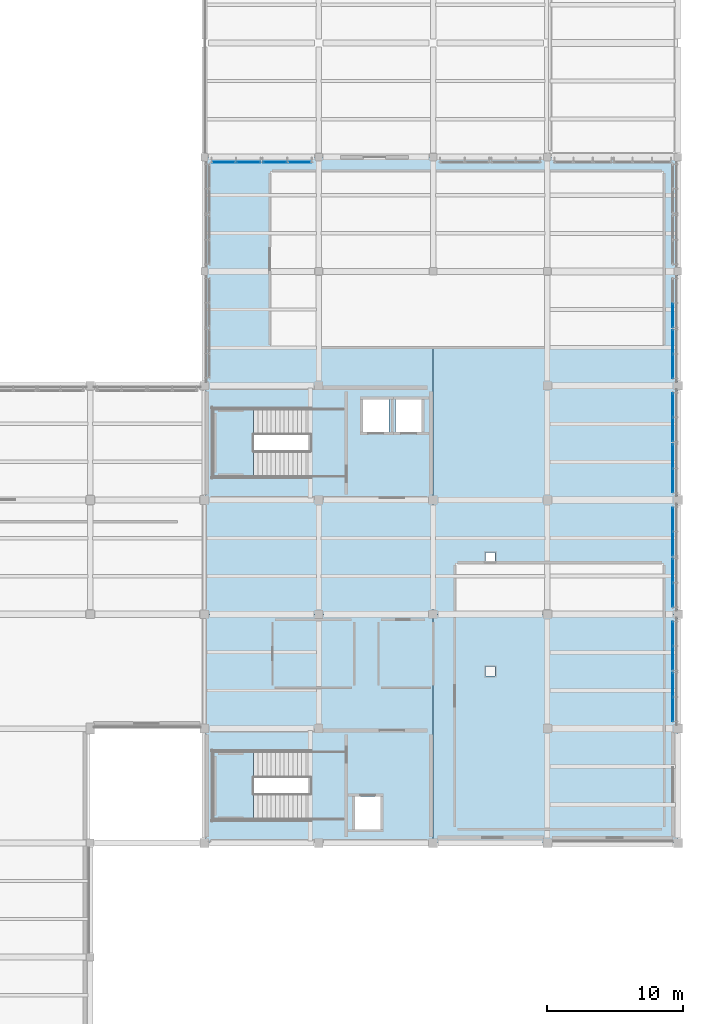
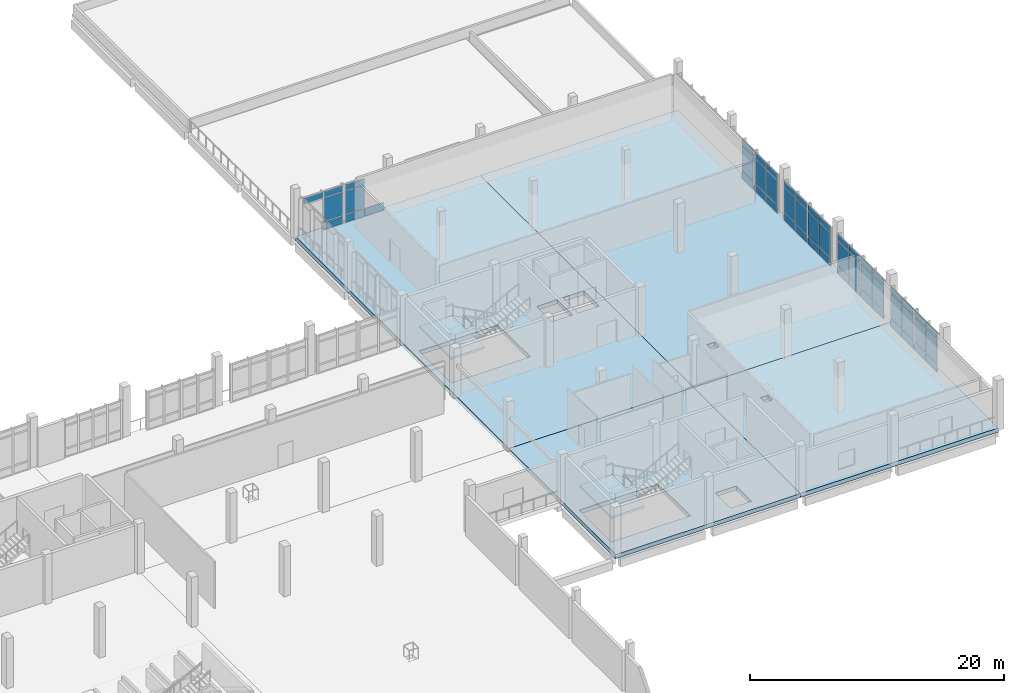
# One storey, part 38 of 63: 53 plates, 6 slabs, 12 elements without a shape of their own.
"""IFC4 building model written with IfcOpenShell, lengths in metres."""

from ifc_helpers import new_model, si_unit, derived_unit, direction, frame, origin, origin_2d, place, context, subcontext, project, spatial, polyline, rectangle, outline, extrude, material, layer, layer_set, type_object, element, aggregate, save


model = new_model("IFC4")

# Units and contexts
model_context = context("Model", 3, precision=1e-05, world=origin(), true_north=direction((0.0, 1.0)))
body_context = subcontext(model_context, "Body", "Model", "MODEL_VIEW")
ifc_project = project(units=[si_unit("LENGTHUNIT", "METRE"), si_unit("AREAUNIT", "SQUARE_METRE"), si_unit("VOLUMEUNIT", "CUBIC_METRE"), si_unit("PLANEANGLEUNIT", "RADIAN"), si_unit("MASSUNIT", "GRAM", prefix="KILO"), derived_unit("THERMALTRANSMITTANCEUNIT", [(si_unit("POWERUNIT", "WATT"), 1), (si_unit("LENGTHUNIT", "METRE"), -2), (si_unit("THERMODYNAMICTEMPERATUREUNIT", "KELVIN"), -1)])], contexts=[model_context])

# Site, building, storey
site_placement = place(None, origin())
site = spatial("IfcSite", under=ifc_project, at=site_placement, CompositionType="ELEMENT")
building_placement = place(site_placement, origin())
building = spatial("IfcBuilding", under=site, at=building_placement, Name="Elbkamm Science Centre", CompositionType="ELEMENT")
storey_placement = place(building_placement, frame((0.0, 0.0, 5.10009765625)))
storey = spatial("IfcBuildingStorey", under=building, at=storey_placement, Name="L01", CompositionType="ELEMENT", Elevation=5.10009765625)

# Curtain wall, plates
ifc_material_1 = material(Name="Powder-coated aluminium and triple low-E glazing", Category="aluminium")
ifc_layer_1 = layer(ifc_material_1, 0.159912109375)
ifc_layer_set_1 = layer_set([ifc_layer_1], Name="Powder-coated aluminium and triple low-E glazing")
curtain_wall_type_1 = type_object("IfcCurtainWallType", Name="CW-UNIT-3680x3780", PredefinedType="USERDEFINED", material=ifc_layer_set_1)
curtain_wall_1_placement = place(storey_placement, origin())
curtain_wall_1 = element("IfcCurtainWall", 1, at=curtain_wall_1_placement, inside=storey, type_object=curtain_wall_type_1, Name="L01 Unitised Curtain Wall 159", ObjectType="UNITISED CURTAIN WALL", PredefinedType="USERDEFINED")
ifc_material_2 = material(Name="Triple solar-control insulated safety glass", Category="glass")
ifc_layer_2 = layer(ifc_material_2, 0.048095703125)
ifc_layer_set_2 = layer_set([ifc_layer_2], Name="Triple solar-control insulated safety glass")
plate_type = type_object("IfcPlateType", Name="CW-PNL-48", PredefinedType="CURTAIN_PANEL", material=ifc_layer_set_2)
plate_1_placement = place(storey_placement, frame((127.422119140625, 75.219970703125, 3.1650390625), z_axis=(0.0, 0.0, 1.0), x_axis=(1.0, 0.0, 0.0)))
plate_1 = element("IfcPlate", 2, at=plate_1_placement, type_object=plate_type, Name="CW-075 panel 1.3", PredefinedType="CURTAIN_PANEL", context=body_context, shape_type="SweptSolid", body=[
    extrude(rectangle(XDim=1.73193359375, YDim=0.048095703125, at=origin_2d()), origin(), (0.0, 0.0, 1.0), 0.544921875),
])
plate_2_placement = place(storey_placement, frame((129.22412109375, 75.219970703125, 0.06982421875), z_axis=(0.0, 0.0, 1.0), x_axis=(1.0, 0.0, 0.0)))
plate_2 = element("IfcPlate", 3, at=plate_2_placement, type_object=plate_type, Name="CW-075 panel 2.1", PredefinedType="CURTAIN_PANEL", context=body_context, shape_type="SweptSolid", body=[
    extrude(rectangle(XDim=1.73193359375, YDim=0.048095703125, at=origin_2d()), origin(), (0.0, 0.0, 1.0), 0.7451171875),
])
plate_3_placement = place(storey_placement, frame((129.22412109375, 75.219970703125, 0.885009765625), z_axis=(0.0, 0.0, 1.0), x_axis=(1.0, 0.0, 0.0)))
plate_3 = element("IfcPlate", 4, at=plate_3_placement, type_object=plate_type, Name="CW-075 panel 2.2", PredefinedType="CURTAIN_PANEL", context=body_context, shape_type="SweptSolid", body=[
    extrude(rectangle(XDim=1.73193359375, YDim=0.048095703125, at=origin_2d()), origin(), (0.0, 0.0, 1.0), 2.2099609375),
])
plate_4_placement = place(storey_placement, frame((129.22412109375, 75.219970703125, 3.1650390625), z_axis=(0.0, 0.0, 1.0), x_axis=(1.0, 0.0, 0.0)))
plate_4 = element("IfcPlate", 5, at=plate_4_placement, type_object=plate_type, Name="CW-075 panel 2.3", PredefinedType="CURTAIN_PANEL", context=body_context, shape_type="SweptSolid", body=[
    extrude(rectangle(XDim=1.73193359375, YDim=0.048095703125, at=origin_2d()), origin(), (0.0, 0.0, 1.0), 0.544921875),
])
aggregate(curtain_wall_1, [plate_1, plate_2, plate_3, plate_4])

curtain_wall_2_placement = place(storey_placement, origin())
curtain_wall_2 = element("IfcCurtainWall", 6, at=curtain_wall_2_placement, inside=storey, type_object=curtain_wall_type_1, Name="L01 Unitised Curtain Wall 160", ObjectType="UNITISED CURTAIN WALL", PredefinedType="USERDEFINED")
plate_5_placement = place(storey_placement, frame((131.176025390625, 75.219970703125, 0.06982421875), z_axis=(0.0, 0.0, 1.0), x_axis=(1.0, 0.0, 0.0)))
plate_5 = element("IfcPlate", 7, at=plate_5_placement, type_object=plate_type, Name="CW-075 panel 1.1", PredefinedType="CURTAIN_PANEL", context=body_context, shape_type="SweptSolid", body=[
    extrude(rectangle(XDim=1.73193359375, YDim=0.048095703125, at=origin_2d()), origin(), (0.0, 0.0, 1.0), 0.7451171875),
])
plate_6_placement = place(storey_placement, frame((131.176025390625, 75.219970703125, 0.885009765625), z_axis=(0.0, 0.0, 1.0), x_axis=(1.0, 0.0, 0.0)))
plate_6 = element("IfcPlate", 8, at=plate_6_placement, type_object=plate_type, Name="CW-075 panel 1.2", PredefinedType="CURTAIN_PANEL", context=body_context, shape_type="SweptSolid", body=[
    extrude(rectangle(XDim=1.73193359375, YDim=0.048095703125, at=origin_2d()), origin(), (0.0, 0.0, 1.0), 2.2099609375),
])
plate_7_placement = place(storey_placement, frame((131.176025390625, 75.219970703125, 3.1650390625), z_axis=(0.0, 0.0, 1.0), x_axis=(1.0, 0.0, 0.0)))
plate_7 = element("IfcPlate", 9, at=plate_7_placement, type_object=plate_type, Name="CW-075 panel 1.3", PredefinedType="CURTAIN_PANEL", context=body_context, shape_type="SweptSolid", body=[
    extrude(rectangle(XDim=1.73193359375, YDim=0.048095703125, at=origin_2d()), origin(), (0.0, 0.0, 1.0), 0.544921875),
])
plate_8_placement = place(storey_placement, frame((132.977783203125, 75.219970703125, 0.06982421875), z_axis=(0.0, 0.0, 1.0), x_axis=(1.0, 0.0, 0.0)))
plate_8 = element("IfcPlate", 10, at=plate_8_placement, type_object=plate_type, Name="CW-075 panel 2.1", PredefinedType="CURTAIN_PANEL", context=body_context, shape_type="SweptSolid", body=[
    extrude(rectangle(XDim=1.73193359375, YDim=0.048095703125, at=origin_2d()), origin(), (0.0, 0.0, 1.0), 0.7451171875),
])
aggregate(curtain_wall_2, [plate_5, plate_6, plate_7, plate_8])

ifc_layer_3 = layer(ifc_material_1, 0.159912109375)
ifc_layer_set_3 = layer_set([ifc_layer_3], Name="Powder-coated aluminium and triple low-E glazing")
curtain_wall_type_2 = type_object("IfcCurtainWallType", Name="CW-UNIT-3680x3900", PredefinedType="USERDEFINED", material=ifc_layer_set_3)
curtain_wall_3_placement = place(storey_placement, origin())
curtain_wall_3 = element("IfcCurtainWall", 11, at=curtain_wall_3_placement, inside=storey, type_object=curtain_wall_type_2, Name="L01 Unitised Curtain Wall 167", ObjectType="UNITISED CURTAIN WALL", PredefinedType="USERDEFINED")
plate_9_placement = place(storey_placement, frame((160.419921875, 63.975830078125, 0.06982421875), z_axis=(0.0, 0.0, 1.0), x_axis=(0.0, -1.0, 0.0)))
plate_9 = element("IfcPlate", 12, at=plate_9_placement, type_object=plate_type, Name="CW-066 panel 2.1", PredefinedType="CURTAIN_PANEL", context=body_context, shape_type="SweptSolid", body=[
    extrude(rectangle(XDim=1.73193359375, YDim=0.048095703125, at=origin_2d()), origin(), (0.0, 0.0, 1.0), 0.7451171875),
])
plate_10_placement = place(storey_placement, frame((160.419921875, 63.975830078125, 0.884765625), z_axis=(0.0, 0.0, 1.0), x_axis=(0.0, -1.0, 0.0)))
plate_10 = element("IfcPlate", 13, at=plate_10_placement, type_object=plate_type, Name="CW-066 panel 2.2", PredefinedType="CURTAIN_PANEL", context=body_context, shape_type="SweptSolid", body=[
    extrude(rectangle(XDim=1.73193359375, YDim=0.048095703125, at=origin_2d()), origin(), (0.0, 0.0, 1.0), 2.330078125),
])
plate_11_placement = place(storey_placement, frame((160.419921875, 63.975830078125, 3.284912109375), z_axis=(0.0, 0.0, 1.0), x_axis=(0.0, -1.0, 0.0)))
plate_11 = element("IfcPlate", 14, at=plate_11_placement, type_object=plate_type, Name="CW-066 panel 2.3", PredefinedType="CURTAIN_PANEL", context=body_context, shape_type="SweptSolid", body=[
    extrude(rectangle(XDim=1.73193359375, YDim=0.048095703125, at=origin_2d()), origin(), (0.0, 0.0, 1.0), 0.544921875),
])
aggregate(curtain_wall_3, [plate_9, plate_10, plate_11])

curtain_wall_4_placement = place(storey_placement, origin())
curtain_wall_4 = element("IfcCurtainWall", 15, at=curtain_wall_4_placement, inside=storey, type_object=curtain_wall_type_2, Name="L01 Unitised Curtain Wall 168", ObjectType="UNITISED CURTAIN WALL", PredefinedType="USERDEFINED")
plate_12_placement = place(storey_placement, frame((160.419921875, 62.024169921875, 0.06982421875), z_axis=(0.0, 0.0, 1.0), x_axis=(0.0, -1.0, 0.0)))
plate_12 = element("IfcPlate", 16, at=plate_12_placement, type_object=plate_type, Name="CW-066 panel 1.1", PredefinedType="CURTAIN_PANEL", context=body_context, shape_type="SweptSolid", body=[
    extrude(rectangle(XDim=1.73193359375, YDim=0.048095703125, at=origin_2d()), origin(), (0.0, 0.0, 1.0), 0.7451171875),
])
plate_13_placement = place(storey_placement, frame((160.419921875, 62.024169921875, 0.884765625), z_axis=(0.0, 0.0, 1.0), x_axis=(0.0, -1.0, 0.0)))
plate_13 = element("IfcPlate", 17, at=plate_13_placement, type_object=plate_type, Name="CW-066 panel 1.2", PredefinedType="CURTAIN_PANEL", context=body_context, shape_type="SweptSolid", body=[
    extrude(rectangle(XDim=1.73193359375, YDim=0.048095703125, at=origin_2d()), origin(), (0.0, 0.0, 1.0), 2.330078125),
])
plate_14_placement = place(storey_placement, frame((160.419921875, 62.024169921875, 3.284912109375), z_axis=(0.0, 0.0, 1.0), x_axis=(0.0, -1.0, 0.0)))
plate_14 = element("IfcPlate", 18, at=plate_14_placement, type_object=plate_type, Name="CW-066 panel 1.3", PredefinedType="CURTAIN_PANEL", context=body_context, shape_type="SweptSolid", body=[
    extrude(rectangle(XDim=1.73193359375, YDim=0.048095703125, at=origin_2d()), origin(), (0.0, 0.0, 1.0), 0.544921875),
])
plate_15_placement = place(storey_placement, frame((160.419921875, 60.22216796875, 0.06982421875), z_axis=(0.0, 0.0, 1.0), x_axis=(0.0, -1.0, 0.0)))
plate_15 = element("IfcPlate", 19, at=plate_15_placement, type_object=plate_type, Name="CW-066 panel 2.1", PredefinedType="CURTAIN_PANEL", context=body_context, shape_type="SweptSolid", body=[
    extrude(rectangle(XDim=1.73193359375, YDim=0.048095703125, at=origin_2d()), origin(), (0.0, 0.0, 1.0), 0.7451171875),
])
plate_16_placement = place(storey_placement, frame((160.419921875, 60.22216796875, 0.884765625), z_axis=(0.0, 0.0, 1.0), x_axis=(0.0, -1.0, 0.0)))
plate_16 = element("IfcPlate", 20, at=plate_16_placement, type_object=plate_type, Name="CW-066 panel 2.2", PredefinedType="CURTAIN_PANEL", context=body_context, shape_type="SweptSolid", body=[
    extrude(rectangle(XDim=1.73193359375, YDim=0.048095703125, at=origin_2d()), origin(), (0.0, 0.0, 1.0), 2.330078125),
])
plate_17_placement = place(storey_placement, frame((160.419921875, 60.22216796875, 3.284912109375), z_axis=(0.0, 0.0, 1.0), x_axis=(0.0, -1.0, 0.0)))
plate_17 = element("IfcPlate", 21, at=plate_17_placement, type_object=plate_type, Name="CW-066 panel 2.3", PredefinedType="CURTAIN_PANEL", context=body_context, shape_type="SweptSolid", body=[
    extrude(rectangle(XDim=1.73193359375, YDim=0.048095703125, at=origin_2d()), origin(), (0.0, 0.0, 1.0), 0.544921875),
])
aggregate(curtain_wall_4, [plate_12, plate_13, plate_14, plate_15, plate_16, plate_17])

curtain_wall_5_placement = place(storey_placement, origin())
curtain_wall_5 = element("IfcCurtainWall", 22, at=curtain_wall_5_placement, inside=storey, type_object=curtain_wall_type_2, Name="L01 Unitised Curtain Wall 169", ObjectType="UNITISED CURTAIN WALL", PredefinedType="USERDEFINED")
plate_18_placement = place(storey_placement, frame((160.419921875, 57.377685546875, 0.06982421875), z_axis=(0.0, 0.0, 1.0), x_axis=(0.0, -1.0, 0.0)))
plate_18 = element("IfcPlate", 23, at=plate_18_placement, type_object=plate_type, Name="CW-066 panel 1.1", PredefinedType="CURTAIN_PANEL", context=body_context, shape_type="SweptSolid", body=[
    extrude(rectangle(XDim=1.73193359375, YDim=0.048095703125, at=origin_2d()), origin(), (0.0, 0.0, 1.0), 0.7451171875),
])
plate_19_placement = place(storey_placement, frame((160.419921875, 57.377685546875, 0.884765625), z_axis=(0.0, 0.0, 1.0), x_axis=(0.0, -1.0, 0.0)))
plate_19 = element("IfcPlate", 24, at=plate_19_placement, type_object=plate_type, Name="CW-066 panel 1.2", PredefinedType="CURTAIN_PANEL", context=body_context, shape_type="SweptSolid", body=[
    extrude(rectangle(XDim=1.73193359375, YDim=0.048095703125, at=origin_2d()), origin(), (0.0, 0.0, 1.0), 2.330078125),
])
plate_20_placement = place(storey_placement, frame((160.419921875, 57.377685546875, 3.284912109375), z_axis=(0.0, 0.0, 1.0), x_axis=(0.0, -1.0, 0.0)))
plate_20 = element("IfcPlate", 25, at=plate_20_placement, type_object=plate_type, Name="CW-066 panel 1.3", PredefinedType="CURTAIN_PANEL", context=body_context, shape_type="SweptSolid", body=[
    extrude(rectangle(XDim=1.73193359375, YDim=0.048095703125, at=origin_2d()), origin(), (0.0, 0.0, 1.0), 0.544921875),
])
plate_21_placement = place(storey_placement, frame((160.419921875, 55.575927734375, 0.06982421875), z_axis=(0.0, 0.0, 1.0), x_axis=(0.0, -1.0, 0.0)))
plate_21 = element("IfcPlate", 26, at=plate_21_placement, type_object=plate_type, Name="CW-066 panel 2.1", PredefinedType="CURTAIN_PANEL", context=body_context, shape_type="SweptSolid", body=[
    extrude(rectangle(XDim=1.73193359375, YDim=0.048095703125, at=origin_2d()), origin(), (0.0, 0.0, 1.0), 0.7451171875),
])
plate_22_placement = place(storey_placement, frame((160.419921875, 55.575927734375, 0.884765625), z_axis=(0.0, 0.0, 1.0), x_axis=(0.0, -1.0, 0.0)))
plate_22 = element("IfcPlate", 27, at=plate_22_placement, type_object=plate_type, Name="CW-066 panel 2.2", PredefinedType="CURTAIN_PANEL", context=body_context, shape_type="SweptSolid", body=[
    extrude(rectangle(XDim=1.73193359375, YDim=0.048095703125, at=origin_2d()), origin(), (0.0, 0.0, 1.0), 2.330078125),
])
plate_23_placement = place(storey_placement, frame((160.419921875, 55.575927734375, 3.284912109375), z_axis=(0.0, 0.0, 1.0), x_axis=(0.0, -1.0, 0.0)))
plate_23 = element("IfcPlate", 28, at=plate_23_placement, type_object=plate_type, Name="CW-066 panel 2.3", PredefinedType="CURTAIN_PANEL", context=body_context, shape_type="SweptSolid", body=[
    extrude(rectangle(XDim=1.73193359375, YDim=0.048095703125, at=origin_2d()), origin(), (0.0, 0.0, 1.0), 0.544921875),
])
aggregate(curtain_wall_5, [plate_18, plate_19, plate_20, plate_21, plate_22, plate_23])

curtain_wall_6_placement = place(storey_placement, origin())
curtain_wall_6 = element("IfcCurtainWall", 29, at=curtain_wall_6_placement, inside=storey, type_object=curtain_wall_type_2, Name="L01 Unitised Curtain Wall 170", ObjectType="UNITISED CURTAIN WALL", PredefinedType="USERDEFINED")
plate_24_placement = place(storey_placement, frame((160.419921875, 53.6240234375, 0.06982421875), z_axis=(0.0, 0.0, 1.0), x_axis=(0.0, -1.0, 0.0)))
plate_24 = element("IfcPlate", 30, at=plate_24_placement, type_object=plate_type, Name="CW-066 panel 1.1", PredefinedType="CURTAIN_PANEL", context=body_context, shape_type="SweptSolid", body=[
    extrude(rectangle(XDim=1.73193359375, YDim=0.048095703125, at=origin_2d()), origin(), (0.0, 0.0, 1.0), 0.7451171875),
])
plate_25_placement = place(storey_placement, frame((160.419921875, 53.6240234375, 0.884765625), z_axis=(0.0, 0.0, 1.0), x_axis=(0.0, -1.0, 0.0)))
plate_25 = element("IfcPlate", 31, at=plate_25_placement, type_object=plate_type, Name="CW-066 panel 1.2", PredefinedType="CURTAIN_PANEL", context=body_context, shape_type="SweptSolid", body=[
    extrude(rectangle(XDim=1.73193359375, YDim=0.048095703125, at=origin_2d()), origin(), (0.0, 0.0, 1.0), 2.330078125),
])
plate_26_placement = place(storey_placement, frame((160.419921875, 53.6240234375, 3.284912109375), z_axis=(0.0, 0.0, 1.0), x_axis=(0.0, -1.0, 0.0)))
plate_26 = element("IfcPlate", 32, at=plate_26_placement, type_object=plate_type, Name="CW-066 panel 1.3", PredefinedType="CURTAIN_PANEL", context=body_context, shape_type="SweptSolid", body=[
    extrude(rectangle(XDim=1.73193359375, YDim=0.048095703125, at=origin_2d()), origin(), (0.0, 0.0, 1.0), 0.544921875),
])
plate_27_placement = place(storey_placement, frame((160.419921875, 51.822265625, 0.06982421875), z_axis=(0.0, 0.0, 1.0), x_axis=(0.0, -1.0, 0.0)))
plate_27 = element("IfcPlate", 33, at=plate_27_placement, type_object=plate_type, Name="CW-066 panel 2.1", PredefinedType="CURTAIN_PANEL", context=body_context, shape_type="SweptSolid", body=[
    extrude(rectangle(XDim=1.73193359375, YDim=0.048095703125, at=origin_2d()), origin(), (0.0, 0.0, 1.0), 0.7451171875),
])
plate_28_placement = place(storey_placement, frame((160.419921875, 51.822265625, 0.884765625), z_axis=(0.0, 0.0, 1.0), x_axis=(0.0, -1.0, 0.0)))
plate_28 = element("IfcPlate", 34, at=plate_28_placement, type_object=plate_type, Name="CW-066 panel 2.2", PredefinedType="CURTAIN_PANEL", context=body_context, shape_type="SweptSolid", body=[
    extrude(rectangle(XDim=1.73193359375, YDim=0.048095703125, at=origin_2d()), origin(), (0.0, 0.0, 1.0), 2.330078125),
])
plate_29_placement = place(storey_placement, frame((160.419921875, 51.822265625, 3.284912109375), z_axis=(0.0, 0.0, 1.0), x_axis=(0.0, -1.0, 0.0)))
plate_29 = element("IfcPlate", 35, at=plate_29_placement, type_object=plate_type, Name="CW-066 panel 2.3", PredefinedType="CURTAIN_PANEL", context=body_context, shape_type="SweptSolid", body=[
    extrude(rectangle(XDim=1.73193359375, YDim=0.048095703125, at=origin_2d()), origin(), (0.0, 0.0, 1.0), 0.544921875),
])
aggregate(curtain_wall_6, [plate_24, plate_25, plate_26, plate_27, plate_28, plate_29])

curtain_wall_7_placement = place(storey_placement, origin())
curtain_wall_7 = element("IfcCurtainWall", 36, at=curtain_wall_7_placement, inside=storey, type_object=curtain_wall_type_2, Name="L01 Unitised Curtain Wall 171", ObjectType="UNITISED CURTAIN WALL", PredefinedType="USERDEFINED")
plate_30_placement = place(storey_placement, frame((160.419921875, 48.977783203125, 0.06982421875), z_axis=(0.0, 0.0, 1.0), x_axis=(0.0, -1.0, 0.0)))
plate_30 = element("IfcPlate", 37, at=plate_30_placement, type_object=plate_type, Name="CW-066 panel 1.1", PredefinedType="CURTAIN_PANEL", context=body_context, shape_type="SweptSolid", body=[
    extrude(rectangle(XDim=1.73193359375, YDim=0.048095703125, at=origin_2d()), origin(), (0.0, 0.0, 1.0), 0.7451171875),
])
plate_31_placement = place(storey_placement, frame((160.419921875, 48.977783203125, 0.884765625), z_axis=(0.0, 0.0, 1.0), x_axis=(0.0, -1.0, 0.0)))
plate_31 = element("IfcPlate", 38, at=plate_31_placement, type_object=plate_type, Name="CW-066 panel 1.2", PredefinedType="CURTAIN_PANEL", context=body_context, shape_type="SweptSolid", body=[
    extrude(rectangle(XDim=1.73193359375, YDim=0.048095703125, at=origin_2d()), origin(), (0.0, 0.0, 1.0), 2.330078125),
])
plate_32_placement = place(storey_placement, frame((160.419921875, 48.977783203125, 3.284912109375), z_axis=(0.0, 0.0, 1.0), x_axis=(0.0, -1.0, 0.0)))
plate_32 = element("IfcPlate", 39, at=plate_32_placement, type_object=plate_type, Name="CW-066 panel 1.3", PredefinedType="CURTAIN_PANEL", context=body_context, shape_type="SweptSolid", body=[
    extrude(rectangle(XDim=1.73193359375, YDim=0.048095703125, at=origin_2d()), origin(), (0.0, 0.0, 1.0), 0.544921875),
])
plate_33_placement = place(storey_placement, frame((160.419921875, 47.176025390625, 0.06982421875), z_axis=(0.0, 0.0, 1.0), x_axis=(0.0, -1.0, 0.0)))
plate_33 = element("IfcPlate", 40, at=plate_33_placement, type_object=plate_type, Name="CW-066 panel 2.1", PredefinedType="CURTAIN_PANEL", context=body_context, shape_type="SweptSolid", body=[
    extrude(rectangle(XDim=1.73193359375, YDim=0.048095703125, at=origin_2d()), origin(), (0.0, 0.0, 1.0), 0.7451171875),
])
plate_34_placement = place(storey_placement, frame((160.419921875, 47.176025390625, 0.884765625), z_axis=(0.0, 0.0, 1.0), x_axis=(0.0, -1.0, 0.0)))
plate_34 = element("IfcPlate", 41, at=plate_34_placement, type_object=plate_type, Name="CW-066 panel 2.2", PredefinedType="CURTAIN_PANEL", context=body_context, shape_type="SweptSolid", body=[
    extrude(rectangle(XDim=1.73193359375, YDim=0.048095703125, at=origin_2d()), origin(), (0.0, 0.0, 1.0), 2.330078125),
])
plate_35_placement = place(storey_placement, frame((160.419921875, 47.176025390625, 3.284912109375), z_axis=(0.0, 0.0, 1.0), x_axis=(0.0, -1.0, 0.0)))
plate_35 = element("IfcPlate", 42, at=plate_35_placement, type_object=plate_type, Name="CW-066 panel 2.3", PredefinedType="CURTAIN_PANEL", context=body_context, shape_type="SweptSolid", body=[
    extrude(rectangle(XDim=1.73193359375, YDim=0.048095703125, at=origin_2d()), origin(), (0.0, 0.0, 1.0), 0.544921875),
])
aggregate(curtain_wall_7, [plate_30, plate_31, plate_32, plate_33, plate_34, plate_35])

curtain_wall_8_placement = place(storey_placement, origin())
curtain_wall_8 = element("IfcCurtainWall", 43, at=curtain_wall_8_placement, inside=storey, type_object=curtain_wall_type_2, Name="L01 Unitised Curtain Wall 172", ObjectType="UNITISED CURTAIN WALL", PredefinedType="USERDEFINED")
plate_36_placement = place(storey_placement, frame((160.419921875, 45.22412109375, 0.06982421875), z_axis=(0.0, 0.0, 1.0), x_axis=(0.0, -1.0, 0.0)))
plate_36 = element("IfcPlate", 44, at=plate_36_placement, type_object=plate_type, Name="CW-066 panel 1.1", PredefinedType="CURTAIN_PANEL", context=body_context, shape_type="SweptSolid", body=[
    extrude(rectangle(XDim=1.73193359375, YDim=0.048095703125, at=origin_2d()), origin(), (0.0, 0.0, 1.0), 0.7451171875),
])
plate_37_placement = place(storey_placement, frame((160.419921875, 45.22412109375, 0.884765625), z_axis=(0.0, 0.0, 1.0), x_axis=(0.0, -1.0, 0.0)))
plate_37 = element("IfcPlate", 45, at=plate_37_placement, type_object=plate_type, Name="CW-066 panel 1.2", PredefinedType="CURTAIN_PANEL", context=body_context, shape_type="SweptSolid", body=[
    extrude(rectangle(XDim=1.73193359375, YDim=0.048095703125, at=origin_2d()), origin(), (0.0, 0.0, 1.0), 2.330078125),
])
plate_38_placement = place(storey_placement, frame((160.419921875, 45.22412109375, 3.284912109375), z_axis=(0.0, 0.0, 1.0), x_axis=(0.0, -1.0, 0.0)))
plate_38 = element("IfcPlate", 46, at=plate_38_placement, type_object=plate_type, Name="CW-066 panel 1.3", PredefinedType="CURTAIN_PANEL", context=body_context, shape_type="SweptSolid", body=[
    extrude(rectangle(XDim=1.73193359375, YDim=0.048095703125, at=origin_2d()), origin(), (0.0, 0.0, 1.0), 0.544921875),
])
plate_39_placement = place(storey_placement, frame((160.419921875, 43.422119140625, 0.06982421875), z_axis=(0.0, 0.0, 1.0), x_axis=(0.0, -1.0, 0.0)))
plate_39 = element("IfcPlate", 47, at=plate_39_placement, type_object=plate_type, Name="CW-066 panel 2.1", PredefinedType="CURTAIN_PANEL", context=body_context, shape_type="SweptSolid", body=[
    extrude(rectangle(XDim=1.73193359375, YDim=0.048095703125, at=origin_2d()), origin(), (0.0, 0.0, 1.0), 0.7451171875),
])
plate_40_placement = place(storey_placement, frame((160.419921875, 43.422119140625, 0.884765625), z_axis=(0.0, 0.0, 1.0), x_axis=(0.0, -1.0, 0.0)))
plate_40 = element("IfcPlate", 48, at=plate_40_placement, type_object=plate_type, Name="CW-066 panel 2.2", PredefinedType="CURTAIN_PANEL", context=body_context, shape_type="SweptSolid", body=[
    extrude(rectangle(XDim=1.73193359375, YDim=0.048095703125, at=origin_2d()), origin(), (0.0, 0.0, 1.0), 2.330078125),
])
plate_41_placement = place(storey_placement, frame((160.419921875, 43.422119140625, 3.284912109375), z_axis=(0.0, 0.0, 1.0), x_axis=(0.0, -1.0, 0.0)))
plate_41 = element("IfcPlate", 49, at=plate_41_placement, type_object=plate_type, Name="CW-066 panel 2.3", PredefinedType="CURTAIN_PANEL", context=body_context, shape_type="SweptSolid", body=[
    extrude(rectangle(XDim=1.73193359375, YDim=0.048095703125, at=origin_2d()), origin(), (0.0, 0.0, 1.0), 0.544921875),
])
aggregate(curtain_wall_8, [plate_36, plate_37, plate_38, plate_39, plate_40, plate_41])

curtain_wall_9_placement = place(storey_placement, origin())
curtain_wall_9 = element("IfcCurtainWall", 50, at=curtain_wall_9_placement, inside=storey, type_object=curtain_wall_type_2, Name="L01 Unitised Curtain Wall 173", ObjectType="UNITISED CURTAIN WALL", PredefinedType="USERDEFINED")
plate_42_placement = place(storey_placement, frame((160.419921875, 40.577880859375, 0.06982421875), z_axis=(0.0, 0.0, 1.0), x_axis=(0.0, -1.0, 0.0)))
plate_42 = element("IfcPlate", 51, at=plate_42_placement, type_object=plate_type, Name="CW-066 panel 1.1", PredefinedType="CURTAIN_PANEL", context=body_context, shape_type="SweptSolid", body=[
    extrude(rectangle(XDim=1.73193359375, YDim=0.048095703125, at=origin_2d()), origin(), (0.0, 0.0, 1.0), 0.7451171875),
])
plate_43_placement = place(storey_placement, frame((160.419921875, 40.577880859375, 0.884765625), z_axis=(0.0, 0.0, 1.0), x_axis=(0.0, -1.0, 0.0)))
plate_43 = element("IfcPlate", 52, at=plate_43_placement, type_object=plate_type, Name="CW-066 panel 1.2", PredefinedType="CURTAIN_PANEL", context=body_context, shape_type="SweptSolid", body=[
    extrude(rectangle(XDim=1.73193359375, YDim=0.048095703125, at=origin_2d()), origin(), (0.0, 0.0, 1.0), 2.330078125),
])
plate_44_placement = place(storey_placement, frame((160.419921875, 40.577880859375, 3.284912109375), z_axis=(0.0, 0.0, 1.0), x_axis=(0.0, -1.0, 0.0)))
plate_44 = element("IfcPlate", 53, at=plate_44_placement, type_object=plate_type, Name="CW-066 panel 1.3", PredefinedType="CURTAIN_PANEL", context=body_context, shape_type="SweptSolid", body=[
    extrude(rectangle(XDim=1.73193359375, YDim=0.048095703125, at=origin_2d()), origin(), (0.0, 0.0, 1.0), 0.544921875),
])
plate_45_placement = place(storey_placement, frame((160.419921875, 38.77587890625, 0.06982421875), z_axis=(0.0, 0.0, 1.0), x_axis=(0.0, -1.0, 0.0)))
plate_45 = element("IfcPlate", 54, at=plate_45_placement, type_object=plate_type, Name="CW-066 panel 2.1", PredefinedType="CURTAIN_PANEL", context=body_context, shape_type="SweptSolid", body=[
    extrude(rectangle(XDim=1.73193359375, YDim=0.048095703125, at=origin_2d()), origin(), (0.0, 0.0, 1.0), 0.7451171875),
])
plate_46_placement = place(storey_placement, frame((160.419921875, 38.77587890625, 0.884765625), z_axis=(0.0, 0.0, 1.0), x_axis=(0.0, -1.0, 0.0)))
plate_46 = element("IfcPlate", 55, at=plate_46_placement, type_object=plate_type, Name="CW-066 panel 2.2", PredefinedType="CURTAIN_PANEL", context=body_context, shape_type="SweptSolid", body=[
    extrude(rectangle(XDim=1.73193359375, YDim=0.048095703125, at=origin_2d()), origin(), (0.0, 0.0, 1.0), 2.330078125),
])
plate_47_placement = place(storey_placement, frame((160.419921875, 38.77587890625, 3.284912109375), z_axis=(0.0, 0.0, 1.0), x_axis=(0.0, -1.0, 0.0)))
plate_47 = element("IfcPlate", 56, at=plate_47_placement, type_object=plate_type, Name="CW-066 panel 2.3", PredefinedType="CURTAIN_PANEL", context=body_context, shape_type="SweptSolid", body=[
    extrude(rectangle(XDim=1.73193359375, YDim=0.048095703125, at=origin_2d()), origin(), (0.0, 0.0, 1.0), 0.544921875),
])
aggregate(curtain_wall_9, [plate_42, plate_43, plate_44, plate_45, plate_46, plate_47])

curtain_wall_10_placement = place(storey_placement, origin())
curtain_wall_10 = element("IfcCurtainWall", 57, at=curtain_wall_10_placement, inside=storey, type_object=curtain_wall_type_2, Name="L01 Unitised Curtain Wall 174", ObjectType="UNITISED CURTAIN WALL", PredefinedType="USERDEFINED")
plate_48_placement = place(storey_placement, frame((160.419921875, 36.823974609375, 0.06982421875), z_axis=(0.0, 0.0, 1.0), x_axis=(0.0, -1.0, 0.0)))
plate_48 = element("IfcPlate", 58, at=plate_48_placement, type_object=plate_type, Name="CW-066 panel 1.1", PredefinedType="CURTAIN_PANEL", context=body_context, shape_type="SweptSolid", body=[
    extrude(rectangle(XDim=1.73193359375, YDim=0.048095703125, at=origin_2d()), origin(), (0.0, 0.0, 1.0), 0.7451171875),
])
plate_49_placement = place(storey_placement, frame((160.419921875, 36.823974609375, 0.884765625), z_axis=(0.0, 0.0, 1.0), x_axis=(0.0, -1.0, 0.0)))
plate_49 = element("IfcPlate", 59, at=plate_49_placement, type_object=plate_type, Name="CW-066 panel 1.2", PredefinedType="CURTAIN_PANEL", context=body_context, shape_type="SweptSolid", body=[
    extrude(rectangle(XDim=1.73193359375, YDim=0.048095703125, at=origin_2d()), origin(), (0.0, 0.0, 1.0), 2.330078125),
])
plate_50_placement = place(storey_placement, frame((160.419921875, 36.823974609375, 3.284912109375), z_axis=(0.0, 0.0, 1.0), x_axis=(0.0, -1.0, 0.0)))
plate_50 = element("IfcPlate", 60, at=plate_50_placement, type_object=plate_type, Name="CW-066 panel 1.3", PredefinedType="CURTAIN_PANEL", context=body_context, shape_type="SweptSolid", body=[
    extrude(rectangle(XDim=1.73193359375, YDim=0.048095703125, at=origin_2d()), origin(), (0.0, 0.0, 1.0), 0.544921875),
])
plate_51_placement = place(storey_placement, frame((160.419921875, 35.022216796875, 0.06982421875), z_axis=(0.0, 0.0, 1.0), x_axis=(0.0, -1.0, 0.0)))
plate_51 = element("IfcPlate", 61, at=plate_51_placement, type_object=plate_type, Name="CW-066 panel 2.1", PredefinedType="CURTAIN_PANEL", context=body_context, shape_type="SweptSolid", body=[
    extrude(rectangle(XDim=1.73193359375, YDim=0.048095703125, at=origin_2d()), origin(), (0.0, 0.0, 1.0), 0.7451171875),
])
plate_52_placement = place(storey_placement, frame((160.419921875, 35.022216796875, 0.884765625), z_axis=(0.0, 0.0, 1.0), x_axis=(0.0, -1.0, 0.0)))
plate_52 = element("IfcPlate", 62, at=plate_52_placement, type_object=plate_type, Name="CW-066 panel 2.2", PredefinedType="CURTAIN_PANEL", context=body_context, shape_type="SweptSolid", body=[
    extrude(rectangle(XDim=1.73193359375, YDim=0.048095703125, at=origin_2d()), origin(), (0.0, 0.0, 1.0), 2.330078125),
])
plate_53_placement = place(storey_placement, frame((160.419921875, 35.022216796875, 3.284912109375), z_axis=(0.0, 0.0, 1.0), x_axis=(0.0, -1.0, 0.0)))
plate_53 = element("IfcPlate", 63, at=plate_53_placement, type_object=plate_type, Name="CW-066 panel 2.3", PredefinedType="CURTAIN_PANEL", context=body_context, shape_type="SweptSolid", body=[
    extrude(rectangle(XDim=1.73193359375, YDim=0.048095703125, at=origin_2d()), origin(), (0.0, 0.0, 1.0), 0.544921875),
])
aggregate(curtain_wall_10, [plate_48, plate_49, plate_50, plate_51, plate_52, plate_53])

# Slabs
ifc_material_3 = material(Name="Reinforced concrete C40/50", Category="concrete")
ifc_layer_4 = layer(ifc_material_3, 0.39990234375)
ifc_layer_set_4 = layer_set([ifc_layer_4], Name="Reinforced concrete C40/50")
slab_type_1 = type_object("IfcSlabType", Name="SLAB-FLR-400", PredefinedType="FLOOR", material=ifc_layer_set_4)
slab_1_placement = place(storey_placement, frame((0.0, 0.0, -0.400146484375)))
element("IfcSlab", 64, at=slab_1_placement, inside=storey, type_object=slab_type_1, Name="L01 Structural Slab E1S-08", PredefinedType="FLOOR", context=body_context, shape_type="SweptSolid", body=[
    extrude(outline(polyline([(126.02490234375, 25.199951171875), (126.02490234375, 42.0), (142.800048828125, 42.0), (142.800048828125, 25.199951171875), (126.02490234375, 25.199951171875)]), holes=[polyline([(133.780029296875, 31.919921875), (126.60009765625, 31.919921875), (126.60009765625, 26.8798828125), (133.780029296875, 26.8798828125), (133.780029296875, 31.919921875)]), polyline([(138.949951171875, 28.60009765625), (137.050048828125, 28.60009765625), (137.050048828125, 26.199951171875), (138.949951171875, 26.199951171875), (138.949951171875, 28.60009765625)])]), origin(), (0.0, 0.0, 1.0), 0.400146484375),
])
slab_2_placement = place(storey_placement, frame((0.0, 0.0, -0.400146484375)))
element("IfcSlab", 65, at=slab_2_placement, inside=storey, type_object=slab_type_1, Name="L01 Structural Slab E1M-09", PredefinedType="FLOOR", context=body_context, shape_type="SweptSolid", body=[
    extrude(outline(polyline([(126.02490234375, 75.60009765625), (142.800048828125, 75.60009765625), (142.800048828125, 42.0), (126.02490234375, 42.0), (126.02490234375, 75.60009765625)]), holes=[polyline([(133.780029296875, 52.080078125), (133.780029296875, 57.1201171875), (126.60009765625, 57.1201171875), (126.60009765625, 52.080078125), (133.780029296875, 52.080078125)]), polyline([(139.550048828125, 55.39990234375), (139.550048828125, 57.800048828125), (137.64990234375, 57.800048828125), (137.64990234375, 55.39990234375), (139.550048828125, 55.39990234375)]), polyline([(140.050048828125, 55.39990234375), (141.949951171875, 55.39990234375), (141.949951171875, 57.800048828125), (140.050048828125, 57.800048828125), (140.050048828125, 55.39990234375)])]), origin(), (0.0, 0.0, 1.0), 0.400146484375),
])
slab_3_placement = place(storey_placement, frame((0.0, 0.0, -0.400146484375)))
element("IfcSlab", 66, at=slab_3_placement, inside=storey, type_object=slab_type_1, Name="L01 Structural Slab E2S-10", PredefinedType="FLOOR", context=body_context, shape_type="SweptSolid", body=[
    extrude(outline(polyline([(142.800048828125, 25.199951171875), (142.800048828125, 42.0), (160.800048828125, 42.0), (160.800048828125, 25.199951171875), (142.800048828125, 25.199951171875)]), holes=[polyline([(147.35009765625, 38.14990234375), (146.64990234375, 38.14990234375), (146.64990234375, 37.449951171875), (147.35009765625, 37.449951171875), (147.35009765625, 38.14990234375)])]), origin(), (0.0, 0.0, 1.0), 0.400146484375),
])
slab_4_placement = place(storey_placement, frame((0.0, 0.0, -0.400146484375)))
element("IfcSlab", 67, at=slab_4_placement, inside=storey, type_object=slab_type_1, Name="L01 Structural Slab E2M-11", PredefinedType="FLOOR", context=body_context, shape_type="SweptSolid", body=[
    extrude(outline(polyline([(142.800048828125, 42.0), (142.800048828125, 75.60009765625), (160.800048828125, 75.60009765625), (160.800048828125, 42.0), (142.800048828125, 42.0)]), holes=[polyline([(147.35009765625, 46.550048828125), (146.64990234375, 46.550048828125), (146.64990234375, 45.85009765625), (147.35009765625, 45.85009765625), (147.35009765625, 46.550048828125)])]), origin(), (0.0, 0.0, 1.0), 0.400146484375),
])

# Stair, slab
stair_type = type_object("IfcStairType", Name="ST-TWO-28R-192", PredefinedType="USERDEFINED", material=ifc_material_3)
stair_1_placement = place(storey_placement, origin())
stair_1 = element("IfcStair", 68, at=stair_1_placement, inside=storey, type_object=stair_type, Name="L01 Core C3 Northeast Laboratories and Observatory Core Escape Stair", ObjectType="TWO_RETURN_STAIR", PredefinedType="USERDEFINED")
ifc_layer_5 = layer(ifc_material_3, 0.199951171875)
ifc_layer_set_5 = layer_set([ifc_layer_5], Name="Reinforced concrete C40/50")
slab_type_2 = type_object("IfcSlabType", Name="SLAB-LAND-200", PredefinedType="LANDING", material=ifc_layer_set_5)
slab_5_placement = place(storey_placement, frame((0.0, 0.0, 2.199951171875)))
slab_5 = element("IfcSlab", 69, at=slab_5_placement, type_object=slab_type_2, Name="ST-C3 landing 1", PredefinedType="LANDING", context=body_context, shape_type="SweptSolid", body=[
    extrude(outline(polyline([(129.6201171875, 57.1201171875), (126.60009765625, 57.1201171875), (126.60009765625, 52.080078125), (129.6201171875, 52.080078125), (129.6201171875, 57.1201171875)])), origin(), (0.0, 0.0, 1.0), 0.199951171875),
])
aggregate(stair_1, [slab_5])

stair_2_placement = place(storey_placement, origin())
stair_2 = element("IfcStair", 70, at=stair_2_placement, inside=storey, type_object=stair_type, Name="L01 Core C4 Southeast Workshops and Library Core Escape Stair", ObjectType="TWO_RETURN_STAIR", PredefinedType="USERDEFINED")
slab_6_placement = place(storey_placement, frame((0.0, 0.0, 2.199951171875)))
slab_6 = element("IfcSlab", 71, at=slab_6_placement, type_object=slab_type_2, Name="ST-C4 landing 1", PredefinedType="LANDING", context=body_context, shape_type="SweptSolid", body=[
    extrude(outline(polyline([(129.6201171875, 31.919921875), (126.60009765625, 31.919921875), (126.60009765625, 26.8798828125), (129.6201171875, 26.8798828125), (129.6201171875, 31.919921875)])), origin(), (0.0, 0.0, 1.0), 0.199951171875),
])
aggregate(stair_2, [slab_6])

save(model, "model.ifc")
